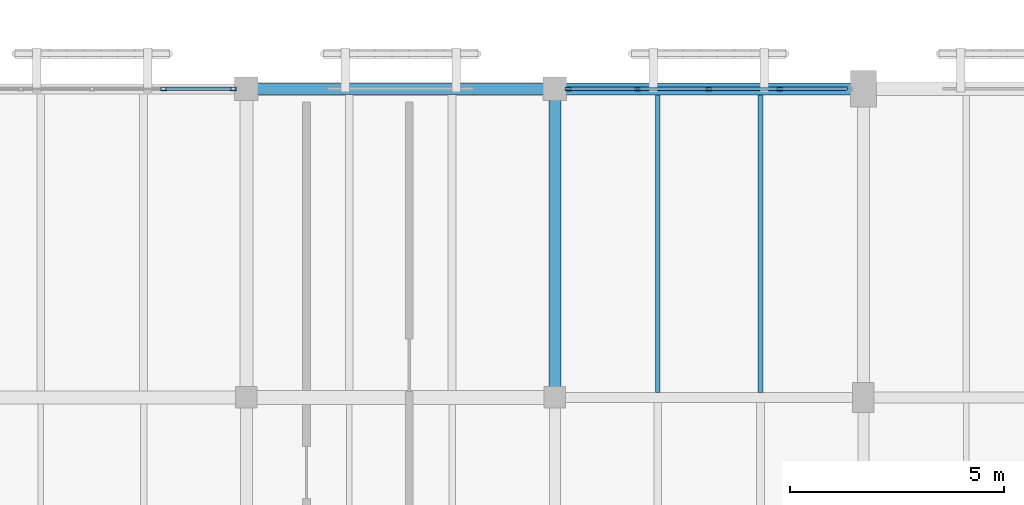
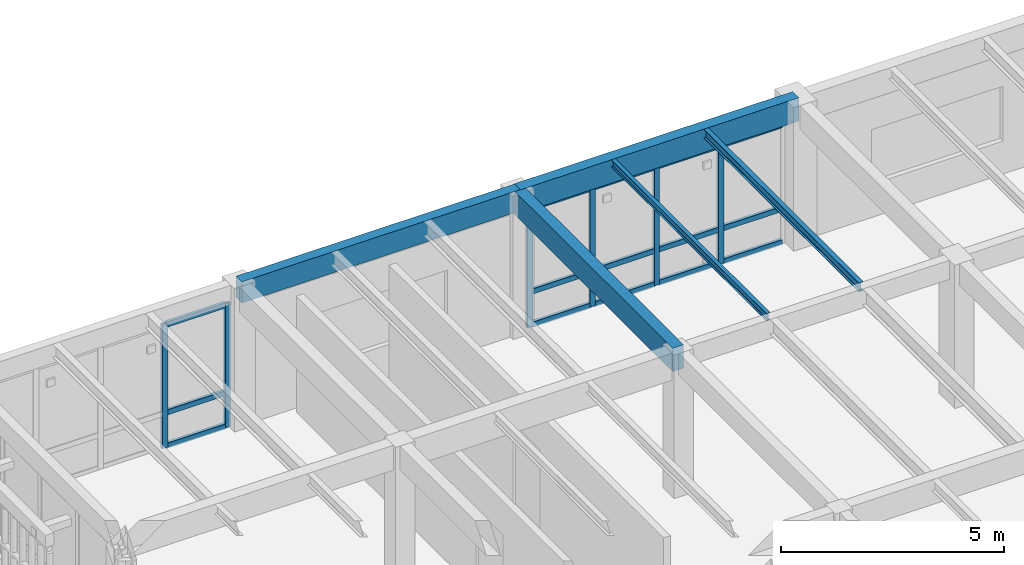
# One storey, part 111 of 170: 21 members, 5 beams, 2 elements without a shape of their own.
"""IFC4 building model written with IfcOpenShell, lengths in metres."""

from ifc_helpers import new_model, si_unit, direction, frame, origin, origin_2d, place, context, subcontext, project, spatial, rectangle, hollow_rectangle, i_section, extrude, material, layer, layer_set, material_profile, profile_set, type_object, element, aggregate, save


model = new_model("IFC4")

# Units and contexts
model_context = context("Model", 3, precision=1e-05, world=origin(), true_north=direction((0.0, 1.0)))
body_context = subcontext(model_context, "Body", "Model", "MODEL_VIEW")
ifc_project = project(units=[si_unit("LENGTHUNIT", "METRE"), si_unit("AREAUNIT", "SQUARE_METRE"), si_unit("VOLUMEUNIT", "CUBIC_METRE"), si_unit("PLANEANGLEUNIT", "RADIAN"), si_unit("MASSUNIT", "GRAM", prefix="KILO")], contexts=[model_context])

# Site, building, storey
site_placement = place(None, origin())
site = spatial("IfcSite", under=ifc_project, at=site_placement, CompositionType="ELEMENT")
building_placement = place(site_placement, origin())
building = spatial("IfcBuilding", under=site, at=building_placement, Name="Mazaris Harbour Polytechnic", CompositionType="ELEMENT")
storey_placement = place(building_placement, frame((0.0, 0.0, 5.39990234375)))
storey = spatial("IfcBuildingStorey", under=building, at=storey_placement, Name="L01", CompositionType="ELEMENT", Elevation=5.39990234375)

# Curtain wall, members
ifc_material_1 = material(Name="Anodised Bronze Aluminium and Low-E Glass", Category="aluminium")
ifc_layer = layer(ifc_material_1, 0.169921875, Name="Anodised Bronze Aluminium and Low-E Glass")
ifc_layer_set = layer_set([ifc_layer], Name="Anodised Bronze Aluminium and Low-E Glass")
curtain_wall_type = type_object("IfcCurtainWallType", Name="Studio North-Light Curtain Wall", PredefinedType="NOTDEFINED", material=ifc_layer_set)
curtain_wall_1_placement = place(storey_placement, origin())
curtain_wall_1 = element("IfcCurtainWall", 1, at=curtain_wall_1_placement, inside=storey, type_object=curtain_wall_type, Name="V5 L01 Curtain Wall 205", PredefinedType="NOTDEFINED")
ifc_material_2 = material(Name="Anodised Bronze Steel S355", Category="steel")
ifc_material_profile_1 = material_profile(ifc_material_2, hollow_rectangle(XDim=0.080078125, YDim=0.139892578125, WallThickness=0.00634765625, at=origin_2d()), Name="RHS 80x140x6.3")
ifc_profile_set_1 = profile_set([ifc_material_profile_1], Name="Anodised Bronze Steel S355")
member_type_1 = type_object("IfcMemberType", Name="Curtain Mullion RHS80x140", PredefinedType="MULLION", material=ifc_profile_set_1)
member_1_placement = place(storey_placement, frame((127.66650390625, 108.0, 0.0), z_axis=(0.0, 0.0, 1.0), x_axis=(0.0, 1.0, 0.0)))
member_1 = element("IfcMember", 2, at=member_1_placement, type_object=member_type_1, Name="CW-03 mullion 4", PredefinedType="MULLION", context=body_context, shape_type="SweptSolid", body=[
    extrude(hollow_rectangle(XDim=0.080078125, YDim=0.139892578125, WallThickness=0.00634765625, at=origin_2d()), origin(), (0.0, 0.0, 1.0), 3.39013671875),
])
member_2_placement = place(storey_placement, frame((129.29296875, 108.0, 0.0), z_axis=(0.0, 0.0, 1.0), x_axis=(0.0, 1.0, 0.0)))
member_2 = element("IfcMember", 3, at=member_2_placement, type_object=member_type_1, Name="CW-03 mullion 5", PredefinedType="MULLION", context=body_context, shape_type="SweptSolid", body=[
    extrude(hollow_rectangle(XDim=0.080078125, YDim=0.139892578125, WallThickness=0.00634765625, at=origin_2d()), origin(), (0.0, 0.0, 1.0), 3.39013671875),
])

curtain_wall_2_placement = place(storey_placement, origin())
curtain_wall_2 = element("IfcCurtainWall", 4, at=curtain_wall_2_placement, inside=storey, type_object=curtain_wall_type, Name="V5 L01 Curtain Wall 206", PredefinedType="NOTDEFINED")
member_3_placement = place(storey_placement, frame((137.10693359375, 108.0, 0.0), z_axis=(0.0, 0.0, 1.0), x_axis=(0.0, 1.0, 0.0)))
member_3 = element("IfcMember", 5, at=member_3_placement, type_object=member_type_1, Name="CW-03 mullion 1", PredefinedType="MULLION", context=body_context, shape_type="SweptSolid", body=[
    extrude(hollow_rectangle(XDim=0.080078125, YDim=0.139892578125, WallThickness=0.00634765625, at=origin_2d()), origin(), (0.0, 0.0, 1.0), 3.27001953125),
])
member_4_placement = place(storey_placement, frame((138.727294921875, 108.0, 0.0), z_axis=(0.0, 0.0, 1.0), x_axis=(0.0, 1.0, 0.0)))
member_4 = element("IfcMember", 6, at=member_4_placement, type_object=member_type_1, Name="CW-03 mullion 2", PredefinedType="MULLION", context=body_context, shape_type="SweptSolid", body=[
    extrude(hollow_rectangle(XDim=0.080078125, YDim=0.139892578125, WallThickness=0.00634765625, at=origin_2d()), origin(), (0.0, 0.0, 1.0), 3.27001953125),
])
member_5_placement = place(storey_placement, frame((140.387451171875, 108.0, 0.0), z_axis=(0.0, 0.0, 1.0), x_axis=(0.0, 1.0, 0.0)))
member_5 = element("IfcMember", 7, at=member_5_placement, type_object=member_type_1, Name="CW-03 mullion 3", PredefinedType="MULLION", context=body_context, shape_type="SweptSolid", body=[
    extrude(hollow_rectangle(XDim=0.080078125, YDim=0.139892578125, WallThickness=0.00634765625, at=origin_2d()), origin(), (0.0, 0.0, 1.0), 3.27001953125),
])
member_6_placement = place(storey_placement, frame((142.0478515625, 108.0, 0.0), z_axis=(0.0, 0.0, 1.0), x_axis=(0.0, 1.0, 0.0)))
member_6 = element("IfcMember", 8, at=member_6_placement, type_object=member_type_1, Name="CW-03 mullion 4", PredefinedType="MULLION", context=body_context, shape_type="SweptSolid", body=[
    extrude(hollow_rectangle(XDim=0.080078125, YDim=0.139892578125, WallThickness=0.00634765625, at=origin_2d()), origin(), (0.0, 0.0, 1.0), 3.27001953125),
])

# Member
ifc_material_3 = material(Name="Anodised Bronze Steel S355", Category="steel")
ifc_material_profile_2 = material_profile(ifc_material_3, hollow_rectangle(XDim=0.080078125, YDim=0.139892578125, WallThickness=0.00634765625, at=origin_2d()), Name="RHS 80x140x6.3")
ifc_profile_set_2 = profile_set([ifc_material_profile_2], Name="Anodised Bronze Steel S355")
member_type_2 = type_object("IfcMemberType", Name="Curtain Transom RHS80x140", PredefinedType="USERDEFINED", material=ifc_profile_set_2)
member_7_placement = place(storey_placement, frame((127.70654296875, 108.0, 0.0400390625), z_axis=(1.0, 0.0, 0.0), x_axis=(0.0, 1.0, 0.0)))
member_7 = element("IfcMember", 9, at=member_7_placement, type_object=member_type_2, Name="CW-03 transom 4.1", ObjectType="TRANSOM", PredefinedType="USERDEFINED", context=body_context, shape_type="SweptSolid", body=[
    extrude(hollow_rectangle(XDim=0.080078125, YDim=0.139892578125, WallThickness=0.00634765625, at=origin_2d()), origin(), (0.0, 0.0, 1.0), 1.54638671875),
])

member_8_placement = place(storey_placement, frame((127.70654296875, 108.0, 0.9501953125), z_axis=(1.0, 0.0, 0.0), x_axis=(0.0, 1.0, 0.0)))
member_8 = element("IfcMember", 10, at=member_8_placement, type_object=member_type_2, Name="CW-03 transom 4.2", ObjectType="TRANSOM", PredefinedType="USERDEFINED", context=body_context, shape_type="SweptSolid", body=[
    extrude(hollow_rectangle(XDim=0.080078125, YDim=0.139892578125, WallThickness=0.00634765625, at=origin_2d()), origin(), (0.0, 0.0, 1.0), 1.54638671875),
])

member_9_placement = place(storey_placement, frame((127.70654296875, 108.0, 3.35009765625), z_axis=(1.0, 0.0, 0.0), x_axis=(0.0, 1.0, 0.0)))
member_9 = element("IfcMember", 11, at=member_9_placement, type_object=member_type_2, Name="CW-03 transom 4.3", ObjectType="TRANSOM", PredefinedType="USERDEFINED", context=body_context, shape_type="SweptSolid", body=[
    extrude(hollow_rectangle(XDim=0.080078125, YDim=0.139892578125, WallThickness=0.00634765625, at=origin_2d()), origin(), (0.0, 0.0, 1.0), 1.54638671875),
])

aggregate(curtain_wall_1, [member_1, member_2, member_7, member_8, member_9])

member_10_placement = place(storey_placement, frame((137.14697265625, 108.0, 0.0400390625), z_axis=(1.0, 0.0, 0.0), x_axis=(0.0, 1.0, 0.0)))
member_10 = element("IfcMember", 12, at=member_10_placement, type_object=member_type_2, Name="CW-03 transom 1.1", ObjectType="TRANSOM", PredefinedType="USERDEFINED", context=body_context, shape_type="SweptSolid", body=[
    extrude(hollow_rectangle(XDim=0.080078125, YDim=0.139892578125, WallThickness=0.00634765625, at=origin_2d()), origin(), (0.0, 0.0, 1.0), 1.540283203125),
])

member_11_placement = place(storey_placement, frame((137.14697265625, 108.0, 0.9501953125), z_axis=(1.0, 0.0, 0.0), x_axis=(0.0, 1.0, 0.0)))
member_11 = element("IfcMember", 13, at=member_11_placement, type_object=member_type_2, Name="CW-03 transom 1.2", ObjectType="TRANSOM", PredefinedType="USERDEFINED", context=body_context, shape_type="SweptSolid", body=[
    extrude(hollow_rectangle(XDim=0.080078125, YDim=0.139892578125, WallThickness=0.00634765625, at=origin_2d()), origin(), (0.0, 0.0, 1.0), 1.540283203125),
])

member_12_placement = place(storey_placement, frame((137.14697265625, 108.0, 3.22998046875), z_axis=(1.0, 0.0, 0.0), x_axis=(0.0, 1.0, 0.0)))
member_12 = element("IfcMember", 14, at=member_12_placement, type_object=member_type_2, Name="CW-03 transom 1.3", ObjectType="TRANSOM", PredefinedType="USERDEFINED", context=body_context, shape_type="SweptSolid", body=[
    extrude(hollow_rectangle(XDim=0.080078125, YDim=0.139892578125, WallThickness=0.00634765625, at=origin_2d()), origin(), (0.0, 0.0, 1.0), 1.540283203125),
])

member_13_placement = place(storey_placement, frame((138.767333984375, 108.0, 0.0400390625), z_axis=(1.0, 0.0, 0.0), x_axis=(0.0, 1.0, 0.0)))
member_13 = element("IfcMember", 15, at=member_13_placement, type_object=member_type_2, Name="CW-03 transom 2.1", ObjectType="TRANSOM", PredefinedType="USERDEFINED", context=body_context, shape_type="SweptSolid", body=[
    extrude(hollow_rectangle(XDim=0.080078125, YDim=0.139892578125, WallThickness=0.00634765625, at=origin_2d()), origin(), (0.0, 0.0, 1.0), 1.580078125),
])

member_14_placement = place(storey_placement, frame((138.767333984375, 108.0, 0.9501953125), z_axis=(1.0, 0.0, 0.0), x_axis=(0.0, 1.0, 0.0)))
member_14 = element("IfcMember", 16, at=member_14_placement, type_object=member_type_2, Name="CW-03 transom 2.2", ObjectType="TRANSOM", PredefinedType="USERDEFINED", context=body_context, shape_type="SweptSolid", body=[
    extrude(hollow_rectangle(XDim=0.080078125, YDim=0.139892578125, WallThickness=0.00634765625, at=origin_2d()), origin(), (0.0, 0.0, 1.0), 1.580078125),
])

member_15_placement = place(storey_placement, frame((138.767333984375, 108.0, 3.22998046875), z_axis=(1.0, 0.0, 0.0), x_axis=(0.0, 1.0, 0.0)))
member_15 = element("IfcMember", 17, at=member_15_placement, type_object=member_type_2, Name="CW-03 transom 2.3", ObjectType="TRANSOM", PredefinedType="USERDEFINED", context=body_context, shape_type="SweptSolid", body=[
    extrude(hollow_rectangle(XDim=0.080078125, YDim=0.139892578125, WallThickness=0.00634765625, at=origin_2d()), origin(), (0.0, 0.0, 1.0), 1.580078125),
])

member_16_placement = place(storey_placement, frame((140.427490234375, 108.0, 0.0400390625), z_axis=(1.0, 0.0, 0.0), x_axis=(0.0, 1.0, 0.0)))
member_16 = element("IfcMember", 18, at=member_16_placement, type_object=member_type_2, Name="CW-03 transom 3.1", ObjectType="TRANSOM", PredefinedType="USERDEFINED", context=body_context, shape_type="SweptSolid", body=[
    extrude(hollow_rectangle(XDim=0.080078125, YDim=0.139892578125, WallThickness=0.00634765625, at=origin_2d()), origin(), (0.0, 0.0, 1.0), 1.580322265625),
])

member_17_placement = place(storey_placement, frame((140.427490234375, 108.0, 0.9501953125), z_axis=(1.0, 0.0, 0.0), x_axis=(0.0, 1.0, 0.0)))
member_17 = element("IfcMember", 19, at=member_17_placement, type_object=member_type_2, Name="CW-03 transom 3.2", ObjectType="TRANSOM", PredefinedType="USERDEFINED", context=body_context, shape_type="SweptSolid", body=[
    extrude(hollow_rectangle(XDim=0.080078125, YDim=0.139892578125, WallThickness=0.00634765625, at=origin_2d()), origin(), (0.0, 0.0, 1.0), 1.580322265625),
])

member_18_placement = place(storey_placement, frame((140.427490234375, 108.0, 3.22998046875), z_axis=(1.0, 0.0, 0.0), x_axis=(0.0, 1.0, 0.0)))
member_18 = element("IfcMember", 20, at=member_18_placement, type_object=member_type_2, Name="CW-03 transom 3.3", ObjectType="TRANSOM", PredefinedType="USERDEFINED", context=body_context, shape_type="SweptSolid", body=[
    extrude(hollow_rectangle(XDim=0.080078125, YDim=0.139892578125, WallThickness=0.00634765625, at=origin_2d()), origin(), (0.0, 0.0, 1.0), 1.580322265625),
])

member_19_placement = place(storey_placement, frame((142.087646484375, 108.0, 0.0400390625), z_axis=(1.0, 0.0, 0.0), x_axis=(0.0, 1.0, 0.0)))
member_19 = element("IfcMember", 21, at=member_19_placement, type_object=member_type_2, Name="CW-03 transom 4.1", ObjectType="TRANSOM", PredefinedType="USERDEFINED", context=body_context, shape_type="SweptSolid", body=[
    extrude(hollow_rectangle(XDim=0.080078125, YDim=0.139892578125, WallThickness=0.00634765625, at=origin_2d()), origin(), (0.0, 0.0, 1.0), 1.540283203125),
])

member_20_placement = place(storey_placement, frame((142.087646484375, 108.0, 0.9501953125), z_axis=(1.0, 0.0, 0.0), x_axis=(0.0, 1.0, 0.0)))
member_20 = element("IfcMember", 22, at=member_20_placement, type_object=member_type_2, Name="CW-03 transom 4.2", ObjectType="TRANSOM", PredefinedType="USERDEFINED", context=body_context, shape_type="SweptSolid", body=[
    extrude(hollow_rectangle(XDim=0.080078125, YDim=0.139892578125, WallThickness=0.00634765625, at=origin_2d()), origin(), (0.0, 0.0, 1.0), 1.540283203125),
])

member_21_placement = place(storey_placement, frame((142.087646484375, 108.0, 3.22998046875), z_axis=(1.0, 0.0, 0.0), x_axis=(0.0, 1.0, 0.0)))
member_21 = element("IfcMember", 23, at=member_21_placement, type_object=member_type_2, Name="CW-03 transom 4.3", ObjectType="TRANSOM", PredefinedType="USERDEFINED", context=body_context, shape_type="SweptSolid", body=[
    extrude(hollow_rectangle(XDim=0.080078125, YDim=0.139892578125, WallThickness=0.00634765625, at=origin_2d()), origin(), (0.0, 0.0, 1.0), 1.540283203125),
])

aggregate(curtain_wall_2, [member_3, member_4, member_5, member_6, member_10, member_11, member_12, member_13, member_14, member_15, member_16, member_17, member_18, member_19, member_20, member_21])

# Beams
ifc_material_4 = material(Name="Glulam GL32h", Category="wood")
ifc_material_profile_3 = material_profile(ifc_material_4, rectangle(XDim=0.260009765625, YDim=0.580078125, at=origin_2d()), Name="RECT260x580")
ifc_profile_set_3 = profile_set([ifc_material_profile_3], Name="Glulam GL32h")
beam_type_1 = type_object("IfcBeamType", Name="Glulam Girder 260x580 Exterior", PredefinedType="BEAM", material=ifc_profile_set_3)
beam_1_placement = place(storey_placement, frame((129.60009765625, 108.0, 3.630126953125), z_axis=(1.0, 0.0, 0.0), x_axis=(0.0, 1.0, 0.0)))
element("IfcBeam", 24, at=beam_1_placement, inside=storey, type_object=beam_type_1, Name="V5 L01 Girder 2961", PredefinedType="BEAM", context=body_context, shape_type="SweptSolid", body=[
    extrude(rectangle(XDim=0.260009765625, YDim=0.580078125, at=origin_2d()), origin(), (0.0, 0.0, 1.0), 7.199951171875),
])
ifc_material_5 = material(Name="Glulam GL32h", Category="wood")
ifc_material_profile_4 = material_profile(ifc_material_5, rectangle(XDim=0.280029296875, YDim=0.639892578125, at=origin_2d()), Name="RECT280x640")
ifc_profile_set_4 = profile_set([ifc_material_profile_4], Name="Glulam GL32h")
beam_type_2 = type_object("IfcBeamType", Name="Glulam Girder 280x640", PredefinedType="BEAM", material=ifc_profile_set_4)
beam_2_placement = place(storey_placement, frame((136.800048828125, 100.800048828125, 3.60009765625), z_axis=(0.0, 1.0, 0.0), x_axis=(-1.0, 0.0, 0.0)))
element("IfcBeam", 25, at=beam_2_placement, inside=storey, type_object=beam_type_2, Name="V5 L01 Tie Girder 2992", PredefinedType="BEAM", context=body_context, shape_type="SweptSolid", body=[
    extrude(rectangle(XDim=0.280029296875, YDim=0.639892578125, at=origin_2d()), origin(), (0.0, 0.0, 1.0), 7.199951171875),
])
ifc_material_6 = material(Name="Glulam GL32h", Category="wood")
ifc_material_profile_5 = material_profile(ifc_material_6, rectangle(XDim=0.280029296875, YDim=0.639892578125, at=origin_2d()), Name="RECT280x640")
ifc_profile_set_5 = profile_set([ifc_material_profile_5], Name="Glulam GL32h")
beam_type_3 = type_object("IfcBeamType", Name="Glulam Girder 280x640 Exterior", PredefinedType="BEAM", material=ifc_profile_set_5)
beam_3_placement = place(storey_placement, frame((136.800048828125, 108.0, 3.60009765625), z_axis=(1.0, 0.0, 0.0), x_axis=(0.0, 1.0, 0.0)))
element("IfcBeam", 26, at=beam_3_placement, inside=storey, type_object=beam_type_3, Name="V5 L01 Girder 2962", PredefinedType="BEAM", context=body_context, shape_type="SweptSolid", body=[
    extrude(rectangle(XDim=0.280029296875, YDim=0.639892578125, at=origin_2d()), origin(), (0.0, 0.0, 1.0), 7.199951171875),
])
ifc_material_7 = material(Name="Steel S355", Category="steel")
ifc_material_profile_6 = material_profile(ifc_material_7, i_section(OverallWidth=0.10009765625, OverallDepth=0.199951171875, WebThickness=0.005615234375, FlangeThickness=0.008544921875, FilletRadius=0.011962890625, at=origin_2d()), Name="IPE 200")
ifc_profile_set_6 = profile_set([ifc_material_profile_6], Name="Steel S355")
beam_type_4 = type_object("IfcBeamType", Name="Steel Joist IPE200", PredefinedType="JOIST", material=ifc_profile_set_6)
beam_4_placement = place(storey_placement, frame((139.199951171875, 100.919921875, 3.820068359375), z_axis=(0.0, 1.0, 0.0), x_axis=(-1.0, 0.0, 0.0)))
element("IfcBeam", 27, at=beam_4_placement, inside=storey, type_object=beam_type_4, Name="V5 L01 Floor Joist 3066", PredefinedType="JOIST", context=body_context, shape_type="SweptSolid", body=[
    extrude(i_section(OverallWidth=0.10009765625, OverallDepth=0.199951171875, WebThickness=0.005615234375, FlangeThickness=0.008544921875, FilletRadius=0.011962890625, at=origin_2d()), origin(), (0.0, 0.0, 1.0), 6.940185546875),
])
ifc_material_8 = material(Name="Steel S355", Category="steel")
ifc_material_profile_7 = material_profile(ifc_material_8, i_section(OverallWidth=0.1201171875, OverallDepth=0.239990234375, WebThickness=0.006103515625, FlangeThickness=0.009765625, FilletRadius=0.014892578125, at=origin_2d()), Name="IPE 240")
ifc_profile_set_7 = profile_set([ifc_material_profile_7], Name="Steel S355")
beam_type_5 = type_object("IfcBeamType", Name="Steel Joist IPE240", PredefinedType="JOIST", material=ifc_profile_set_7)
beam_5_placement = place(storey_placement, frame((141.60009765625, 100.919921875, 3.800048828125), z_axis=(0.0, 1.0, 0.0), x_axis=(-1.0, 0.0, 0.0)))
element("IfcBeam", 28, at=beam_5_placement, inside=storey, type_object=beam_type_5, Name="V5 L01 Floor Joist 3067", PredefinedType="JOIST", context=body_context, shape_type="SweptSolid", body=[
    extrude(i_section(OverallWidth=0.1201171875, OverallDepth=0.239990234375, WebThickness=0.006103515625, FlangeThickness=0.009765625, FilletRadius=0.014892578125, at=origin_2d()), origin(), (0.0, 0.0, 1.0), 6.940185546875),
])

save(model, "model.ifc")
